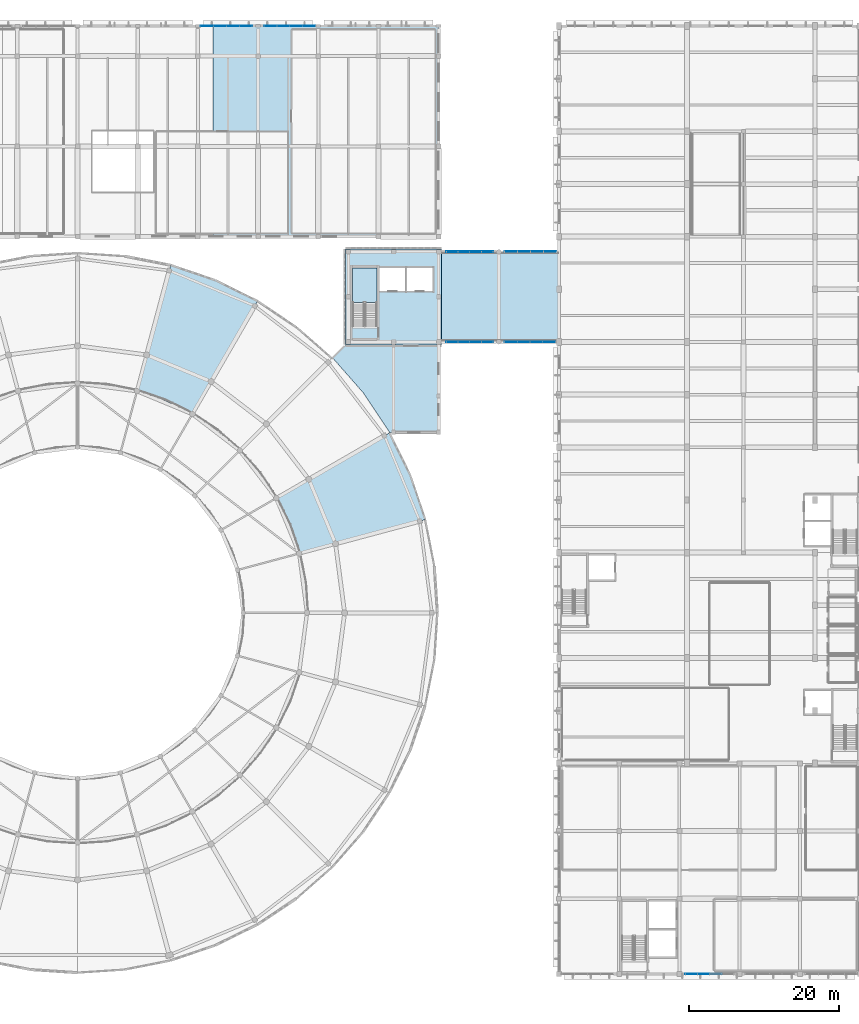
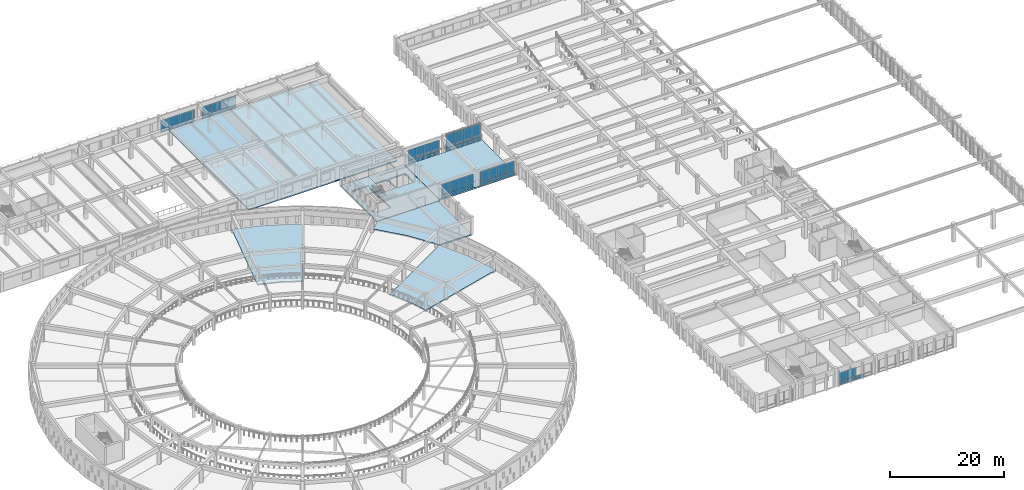
# One storey, part 49 of 98: 53 plates, 7 slabs, 8 elements without a shape of their own.
"""IFC4 building model written with IfcOpenShell, lengths in metres."""

from ifc_helpers import new_model, si_unit, direction, frame, origin, origin_2d, place, context, subcontext, project, spatial, polyline, rectangle, outline, extrude, material, layer, layer_set, type_object, element, aggregate, save


model = new_model("IFC4")

# Units and contexts
model_context = context("Model", 3, precision=1e-05, world=origin(), true_north=direction((0.0, 1.0)))
body_context = subcontext(model_context, "Body", "Model", "MODEL_VIEW")
ifc_project = project(units=[si_unit("LENGTHUNIT", "METRE"), si_unit("AREAUNIT", "SQUARE_METRE"), si_unit("VOLUMEUNIT", "CUBIC_METRE"), si_unit("PLANEANGLEUNIT", "RADIAN"), si_unit("MASSUNIT", "GRAM", prefix="KILO")], contexts=[model_context])

# Site, building, storey
site_placement = place(None, origin())
site = spatial("IfcSite", under=ifc_project, at=site_placement, CompositionType="ELEMENT")
building_placement = place(site_placement, origin())
building = spatial("IfcBuilding", under=site, at=building_placement, Name="Larkveld Mobility Hub", CompositionType="ELEMENT")
storey_placement = place(building_placement, frame((0.0, 0.0, 4.5)))
storey = spatial("IfcBuildingStorey", under=building, at=storey_placement, Name="L01", CompositionType="ELEMENT", Elevation=4.5)

# Curtain wall, plates
ifc_material_1 = material(Name="Anodised aluminium 6063-T6", Category="aluminium")
curtain_wall_type_1 = type_object("IfcCurtainWallType", Name="CW-SYS-01", PredefinedType="NOTDEFINED", material=ifc_material_1)
curtain_wall_1_placement = place(storey_placement, origin())
curtain_wall_1 = element("IfcCurtainWall", 1, at=curtain_wall_1_placement, inside=storey, type_object=curtain_wall_type_1, Name="Concourse Footbridge L01 South Glazing CW-001", PredefinedType="NOTDEFINED")
ifc_material_2 = material(Name="Low-E laminated solar-control double glazing", Category="glass")
ifc_layer_1 = layer(ifc_material_2, 0.028076171875, Name="Low-E laminated solar-control double glazing", Category="glass")
ifc_layer_set_1 = layer_set([ifc_layer_1], Name="Low-E laminated solar-control double glazing")
plate_type_1 = type_object("IfcPlateType", Name="CW-PNL-GL01", PredefinedType="CURTAIN_PANEL", material=ifc_layer_set_1)
plate_1_placement = place(storey_placement, frame((97.7919921875, 84.0, 0.75048828125), z_axis=(0.0, 0.0, 1.0), x_axis=(1.0, 0.0, 0.0)))
plate_1 = element("IfcPlate", 2, at=plate_1_placement, type_object=plate_type_1, Name="CW01 panel 1", PredefinedType="CURTAIN_PANEL", context=body_context, shape_type="SweptSolid", body=[
    extrude(rectangle(XDim=1.534912109375, YDim=0.028076171875, at=origin_2d()), origin(), (0.0, 0.0, 1.0), 2.31298828125),
])
plate_2_placement = place(storey_placement, frame((99.346923828125, 84.0, 0.75048828125), z_axis=(0.0, 0.0, 1.0), x_axis=(1.0, 0.0, 0.0)))
plate_2 = element("IfcPlate", 3, at=plate_2_placement, type_object=plate_type_1, Name="CW01 panel 2", PredefinedType="CURTAIN_PANEL", context=body_context, shape_type="SweptSolid", body=[
    extrude(rectangle(XDim=1.554931640625, YDim=0.028076171875, at=origin_2d()), origin(), (0.0, 0.0, 1.0), 2.31298828125),
])
plate_3_placement = place(storey_placement, frame((100.912109375, 84.0, 0.75048828125), z_axis=(0.0, 0.0, 1.0), x_axis=(1.0, 0.0, 0.0)))
plate_3 = element("IfcPlate", 4, at=plate_3_placement, type_object=plate_type_1, Name="CW01 panel 3", PredefinedType="CURTAIN_PANEL", context=body_context, shape_type="SweptSolid", body=[
    extrude(rectangle(XDim=1.554931640625, YDim=0.028076171875, at=origin_2d()), origin(), (0.0, 0.0, 1.0), 2.31298828125),
])
plate_4_placement = place(storey_placement, frame((102.468017578125, 84.0, 0.75048828125), z_axis=(0.0, 0.0, 1.0), x_axis=(1.0, 0.0, 0.0)))
plate_4 = element("IfcPlate", 5, at=plate_4_placement, type_object=plate_type_1, Name="CW01 panel 4", PredefinedType="CURTAIN_PANEL", context=body_context, shape_type="SweptSolid", body=[
    extrude(rectangle(XDim=1.534912109375, YDim=0.028076171875, at=origin_2d()), origin(), (0.0, 0.0, 1.0), 2.31298828125),
])

curtain_wall_type_2 = type_object("IfcCurtainWallType", Name="CW-SYS-04", PredefinedType="NOTDEFINED", material=ifc_material_1)
curtain_wall_2_placement = place(storey_placement, origin())
curtain_wall_2 = element("IfcCurtainWall", 6, at=curtain_wall_2_placement, inside=storey, type_object=curtain_wall_type_2, Name="Concourse Footbridge L01 North Glazing CW-004", PredefinedType="NOTDEFINED")
plate_5_placement = place(storey_placement, frame((102.468017578125, 96.0, 0.75048828125), z_axis=(0.0, 0.0, 1.0), x_axis=(-1.0, 0.0, 0.0)))
plate_5 = element("IfcPlate", 7, at=plate_5_placement, type_object=plate_type_1, Name="CW04 panel 1", PredefinedType="CURTAIN_PANEL", context=body_context, shape_type="SweptSolid", body=[
    extrude(rectangle(XDim=1.534912109375, YDim=0.028076171875, at=origin_2d()), origin(), (0.0, 0.0, 1.0), 2.31298828125),
])
plate_6_placement = place(storey_placement, frame((100.912109375, 96.0, 0.75048828125), z_axis=(0.0, 0.0, 1.0), x_axis=(-1.0, 0.0, 0.0)))
plate_6 = element("IfcPlate", 8, at=plate_6_placement, type_object=plate_type_1, Name="CW04 panel 2", PredefinedType="CURTAIN_PANEL", context=body_context, shape_type="SweptSolid", body=[
    extrude(rectangle(XDim=1.554931640625, YDim=0.028076171875, at=origin_2d()), origin(), (0.0, 0.0, 1.0), 2.31298828125),
])
plate_7_placement = place(storey_placement, frame((99.346923828125, 96.0, 0.75048828125), z_axis=(0.0, 0.0, 1.0), x_axis=(-1.0, 0.0, 0.0)))
plate_7 = element("IfcPlate", 9, at=plate_7_placement, type_object=plate_type_1, Name="CW04 panel 3", PredefinedType="CURTAIN_PANEL", context=body_context, shape_type="SweptSolid", body=[
    extrude(rectangle(XDim=1.554931640625, YDim=0.028076171875, at=origin_2d()), origin(), (0.0, 0.0, 1.0), 2.31298828125),
])
plate_8_placement = place(storey_placement, frame((97.7919921875, 96.0, 0.75048828125), z_axis=(0.0, 0.0, 1.0), x_axis=(-1.0, 0.0, 0.0)))
plate_8 = element("IfcPlate", 10, at=plate_8_placement, type_object=plate_type_1, Name="CW04 panel 4", PredefinedType="CURTAIN_PANEL", context=body_context, shape_type="SweptSolid", body=[
    extrude(rectangle(XDim=1.534912109375, YDim=0.028076171875, at=origin_2d()), origin(), (0.0, 0.0, 1.0), 2.31298828125),
])

curtain_wall_type_3 = type_object("IfcCurtainWallType", Name="CW-SYS-07", PredefinedType="NOTDEFINED", material=ifc_material_1)
curtain_wall_3_placement = place(storey_placement, origin())
curtain_wall_3 = element("IfcCurtainWall", 11, at=curtain_wall_3_placement, inside=storey, type_object=curtain_wall_type_3, Name="Bicycle Hall North Curtain Wall L01 CW-079", PredefinedType="NOTDEFINED")
plate_9_placement = place(storey_placement, frame((78.779052734375, 126.0, 0.669921875), z_axis=(0.0, 0.0, 1.0), x_axis=(-1.0, 0.0, 0.0)))
plate_9 = element("IfcPlate", 12, at=plate_9_placement, type_object=plate_type_1, Name="CW07 panel 1", PredefinedType="CURTAIN_PANEL", context=body_context, shape_type="SweptSolid", body=[
    extrude(rectangle(XDim=1.69091796875, YDim=0.028076171875, at=origin_2d()), origin(), (0.0, 0.0, 1.0), 1.97802734375),
])
plate_10_placement = place(storey_placement, frame((77.069091796875, 126.0, 0.669921875), z_axis=(0.0, 0.0, 1.0), x_axis=(-1.0, 0.0, 0.0)))
plate_10 = element("IfcPlate", 13, at=plate_10_placement, type_object=plate_type_1, Name="CW07 panel 2", PredefinedType="CURTAIN_PANEL", context=body_context, shape_type="SweptSolid", body=[
    extrude(rectangle(XDim=1.7109375, YDim=0.028076171875, at=origin_2d()), origin(), (0.0, 0.0, 1.0), 1.97802734375),
])
plate_11_placement = place(storey_placement, frame((75.346923828125, 126.0, 0.669921875), z_axis=(0.0, 0.0, 1.0), x_axis=(-1.0, 0.0, 0.0)))
plate_11 = element("IfcPlate", 14, at=plate_11_placement, type_object=plate_type_1, Name="CW07 panel 3", PredefinedType="CURTAIN_PANEL", context=body_context, shape_type="SweptSolid", body=[
    extrude(rectangle(XDim=1.7109375, YDim=0.028076171875, at=origin_2d()), origin(), (0.0, 0.0, 1.0), 1.97802734375),
])
plate_12_placement = place(storey_placement, frame((73.635986328125, 126.0, 0.669921875), z_axis=(0.0, 0.0, 1.0), x_axis=(-1.0, 0.0, 0.0)))
plate_12 = element("IfcPlate", 15, at=plate_12_placement, type_object=plate_type_1, Name="CW07 panel 4", PredefinedType="CURTAIN_PANEL", context=body_context, shape_type="SweptSolid", body=[
    extrude(rectangle(XDim=1.69091796875, YDim=0.028076171875, at=origin_2d()), origin(), (0.0, 0.0, 1.0), 1.97802734375),
])

curtain_wall_type_4 = type_object("IfcCurtainWallType", Name="CW-SYS-02", PredefinedType="NOTDEFINED", material=ifc_material_1)
curtain_wall_4_placement = place(storey_placement, origin())
curtain_wall_4 = element("IfcCurtainWall", 16, at=curtain_wall_4_placement, inside=storey, type_object=curtain_wall_type_4, Name="Concourse Footbridge L01 South Glazing CW-002", PredefinedType="NOTDEFINED")
ifc_material_3 = material(Name="Acoustic solar-control laminated double glazing", Category="glass")
ifc_layer_2 = layer(ifc_material_3, 0.031982421875, Name="Acoustic solar-control laminated double glazing", Category="glass")
ifc_layer_set_2 = layer_set([ifc_layer_2], Name="Acoustic solar-control laminated double glazing")
plate_type_2 = type_object("IfcPlateType", Name="CW-PNL-GL02", PredefinedType="CURTAIN_PANEL", material=ifc_layer_set_2)
plate_13_placement = place(storey_placement, frame((105.60009765625, 84.0, 0.75048828125), z_axis=(0.0, 0.0, 1.0), x_axis=(1.0, 0.0, 0.0)))
plate_13 = element("IfcPlate", 17, at=plate_13_placement, type_object=plate_type_2, Name="CW02 panel 1", PredefinedType="CURTAIN_PANEL", context=body_context, shape_type="SweptSolid", body=[
    extrude(rectangle(XDim=1.669921875, YDim=0.031982421875, at=origin_2d()), origin(), (0.0, 0.0, 1.0), 2.31298828125),
])
plate_14_placement = place(storey_placement, frame((107.2900390625, 84.0, 0.75048828125), z_axis=(0.0, 0.0, 1.0), x_axis=(1.0, 0.0, 0.0)))
plate_14 = element("IfcPlate", 18, at=plate_14_placement, type_object=plate_type_2, Name="CW02 panel 2", PredefinedType="CURTAIN_PANEL", context=body_context, shape_type="SweptSolid", body=[
    extrude(rectangle(XDim=1.68994140625, YDim=0.031982421875, at=origin_2d()), origin(), (0.0, 0.0, 1.0), 2.31298828125),
])
plate_15_placement = place(storey_placement, frame((108.989990234375, 84.0, 0.75048828125), z_axis=(0.0, 0.0, 1.0), x_axis=(1.0, 0.0, 0.0)))
plate_15 = element("IfcPlate", 19, at=plate_15_placement, type_object=plate_type_2, Name="CW02 panel 3", PredefinedType="CURTAIN_PANEL", context=body_context, shape_type="SweptSolid", body=[
    extrude(rectangle(XDim=1.68994140625, YDim=0.031982421875, at=origin_2d()), origin(), (0.0, 0.0, 1.0), 2.31298828125),
])
plate_16_placement = place(storey_placement, frame((110.679931640625, 84.0, 0.75048828125), z_axis=(0.0, 0.0, 1.0), x_axis=(1.0, 0.0, 0.0)))
plate_16 = element("IfcPlate", 20, at=plate_16_placement, type_object=plate_type_2, Name="CW02 panel 4", PredefinedType="CURTAIN_PANEL", context=body_context, shape_type="SweptSolid", body=[
    extrude(rectangle(XDim=1.669921875, YDim=0.031982421875, at=origin_2d()), origin(), (0.0, 0.0, 1.0), 2.31298828125),
])

curtain_wall_type_5 = type_object("IfcCurtainWallType", Name="CW-SYS-08", PredefinedType="NOTDEFINED", material=ifc_material_1)
curtain_wall_5_placement = place(storey_placement, origin())
curtain_wall_5 = element("IfcCurtainWall", 21, at=curtain_wall_5_placement, inside=storey, type_object=curtain_wall_type_5, Name="Bicycle Hall North Curtain Wall L01 CW-080", PredefinedType="NOTDEFINED")
plate_17_placement = place(storey_placement, frame((70.364013671875, 126.0, 0.669921875), z_axis=(0.0, 0.0, 1.0), x_axis=(-1.0, 0.0, 0.0)))
plate_17 = element("IfcPlate", 22, at=plate_17_placement, type_object=plate_type_2, Name="CW08 panel 1", PredefinedType="CURTAIN_PANEL", context=body_context, shape_type="SweptSolid", body=[
    extrude(rectangle(XDim=1.69091796875, YDim=0.031982421875, at=origin_2d()), origin(), (0.0, 0.0, 1.0), 1.97802734375),
])
plate_18_placement = place(storey_placement, frame((68.654052734375, 126.0, 0.669921875), z_axis=(0.0, 0.0, 1.0), x_axis=(-1.0, 0.0, 0.0)))
plate_18 = element("IfcPlate", 23, at=plate_18_placement, type_object=plate_type_2, Name="CW08 panel 2", PredefinedType="CURTAIN_PANEL", context=body_context, shape_type="SweptSolid", body=[
    extrude(rectangle(XDim=1.7109375, YDim=0.031982421875, at=origin_2d()), origin(), (0.0, 0.0, 1.0), 1.97802734375),
])
plate_19_placement = place(storey_placement, frame((66.931884765625, 126.0, 0.669921875), z_axis=(0.0, 0.0, 1.0), x_axis=(-1.0, 0.0, 0.0)))
plate_19 = element("IfcPlate", 24, at=plate_19_placement, type_object=plate_type_2, Name="CW08 panel 3", PredefinedType="CURTAIN_PANEL", context=body_context, shape_type="SweptSolid", body=[
    extrude(rectangle(XDim=1.7109375, YDim=0.031982421875, at=origin_2d()), origin(), (0.0, 0.0, 1.0), 1.97802734375),
])
plate_20_placement = place(storey_placement, frame((65.220947265625, 126.0, 0.669921875), z_axis=(0.0, 0.0, 1.0), x_axis=(-1.0, 0.0, 0.0)))
plate_20 = element("IfcPlate", 25, at=plate_20_placement, type_object=plate_type_2, Name="CW08 panel 4", PredefinedType="CURTAIN_PANEL", context=body_context, shape_type="SweptSolid", body=[
    extrude(rectangle(XDim=1.69091796875, YDim=0.031982421875, at=origin_2d()), origin(), (0.0, 0.0, 1.0), 1.97802734375),
])

curtain_wall_type_6 = type_object("IfcCurtainWallType", Name="CW-SYS-11", PredefinedType="NOTDEFINED", material=ifc_material_1)
curtain_wall_6_placement = place(storey_placement, origin())
curtain_wall_6 = element("IfcCurtainWall", 26, at=curtain_wall_6_placement, inside=storey, type_object=curtain_wall_type_6, Name="Service Centre South Curtain Wall L01 CW-095", PredefinedType="NOTDEFINED")
plate_21_placement = place(storey_placement, frame((129.583984375, 0.0, 0.669921875), z_axis=(0.0, 0.0, 1.0), x_axis=(1.0, 0.0, 0.0)))
plate_21 = element("IfcPlate", 27, at=plate_21_placement, type_object=plate_type_2, Name="CW11 panel 1", PredefinedType="CURTAIN_PANEL", context=body_context, shape_type="SweptSolid", body=[
    extrude(rectangle(XDim=1.587890625, YDim=0.031982421875, at=origin_2d()), origin(), (0.0, 0.0, 1.0), 1.97802734375),
])
plate_22_placement = place(storey_placement, frame((131.19091796875, 0.0, 0.669921875), z_axis=(0.0, 0.0, 1.0), x_axis=(1.0, 0.0, 0.0)))
plate_22 = element("IfcPlate", 28, at=plate_22_placement, type_object=plate_type_2, Name="CW11 panel 2", PredefinedType="CURTAIN_PANEL", context=body_context, shape_type="SweptSolid", body=[
    extrude(rectangle(XDim=1.60791015625, YDim=0.031982421875, at=origin_2d()), origin(), (0.0, 0.0, 1.0), 1.97802734375),
])

curtain_wall_type_7 = type_object("IfcCurtainWallType", Name="CW-SYS-03", PredefinedType="NOTDEFINED", material=ifc_material_1)
curtain_wall_7_placement = place(storey_placement, origin())
curtain_wall_7 = element("IfcCurtainWall", 29, at=curtain_wall_7_placement, inside=storey, type_object=curtain_wall_type_7, Name="Concourse Footbridge L01 North Glazing CW-003", PredefinedType="NOTDEFINED")
ifc_material_4 = material(Name="Tinted safety double glazing", Category="glass")
ifc_layer_3 = layer(ifc_material_4, 0.035888671875, Name="Tinted safety double glazing", Category="glass")
ifc_layer_set_3 = layer_set([ifc_layer_3], Name="Tinted safety double glazing")
plate_type_3 = type_object("IfcPlateType", Name="CW-PNL-GL03", PredefinedType="CURTAIN_PANEL", material=ifc_layer_set_3)
plate_23_placement = place(storey_placement, frame((110.77587890625, 96.0, 0.75), z_axis=(0.0, 0.0, 1.0), x_axis=(-1.0, 0.0, 0.0)))
plate_23 = element("IfcPlate", 30, at=plate_23_placement, type_object=plate_type_3, Name="CW03 panel 1", PredefinedType="CURTAIN_PANEL", context=body_context, shape_type="SweptSolid", body=[
    extrude(rectangle(XDim=1.697998046875, YDim=0.035888671875, at=origin_2d()), origin(), (0.0, 0.0, 1.0), 2.89794921875),
])
plate_24_placement = place(storey_placement, frame((109.05810546875, 96.0, 0.75), z_axis=(0.0, 0.0, 1.0), x_axis=(-1.0, 0.0, 0.0)))
plate_24 = element("IfcPlate", 31, at=plate_24_placement, type_object=plate_type_3, Name="CW03 panel 2", PredefinedType="CURTAIN_PANEL", context=body_context, shape_type="SweptSolid", body=[
    extrude(rectangle(XDim=1.718017578125, YDim=0.035888671875, at=origin_2d()), origin(), (0.0, 0.0, 1.0), 2.89794921875),
])
plate_25_placement = place(storey_placement, frame((107.33203125, 96.0, 0.75), z_axis=(0.0, 0.0, 1.0), x_axis=(-1.0, 0.0, 0.0)))
plate_25 = element("IfcPlate", 32, at=plate_25_placement, type_object=plate_type_3, Name="CW03 panel 3", PredefinedType="CURTAIN_PANEL", context=body_context, shape_type="SweptSolid", body=[
    extrude(rectangle(XDim=1.718017578125, YDim=0.035888671875, at=origin_2d()), origin(), (0.0, 0.0, 1.0), 2.89794921875),
])
plate_26_placement = place(storey_placement, frame((105.614013671875, 96.0, 0.75), z_axis=(0.0, 0.0, 1.0), x_axis=(-1.0, 0.0, 0.0)))
plate_26 = element("IfcPlate", 33, at=plate_26_placement, type_object=plate_type_3, Name="CW03 panel 4", PredefinedType="CURTAIN_PANEL", context=body_context, shape_type="SweptSolid", body=[
    extrude(rectangle(XDim=1.697998046875, YDim=0.035888671875, at=origin_2d()), origin(), (0.0, 0.0, 1.0), 2.89794921875),
])

# Plate
ifc_material_5 = material(Name="Insulated fluoropolymer aluminium spandrel", Category="aluminium")
ifc_layer_4 = layer(ifc_material_5, 0.06494140625, Name="Insulated fluoropolymer aluminium spandrel", Category="aluminium")
ifc_layer_set_4 = layer_set([ifc_layer_4], Name="Insulated fluoropolymer aluminium spandrel")
plate_type_4 = type_object("IfcPlateType", Name="CW-PNL-SP01", PredefinedType="CURTAIN_PANEL", material=ifc_layer_set_4)
plate_27_placement = place(storey_placement, frame((97.7919921875, 84.0, 0.0), z_axis=(0.0, 0.0, 1.0), x_axis=(1.0, 0.0, 0.0)))
plate_27 = element("IfcPlate", 34, at=plate_27_placement, type_object=plate_type_4, Name="CW01 spandrel 1", PredefinedType="CURTAIN_PANEL", context=body_context, shape_type="SweptSolid", body=[
    extrude(rectangle(XDim=1.534912109375, YDim=0.06494140625, at=origin_2d()), origin(), (0.0, 0.0, 1.0), 0.738037109375),
])

plate_28_placement = place(storey_placement, frame((99.346923828125, 84.0, 0.0), z_axis=(0.0, 0.0, 1.0), x_axis=(1.0, 0.0, 0.0)))
plate_28 = element("IfcPlate", 35, at=plate_28_placement, type_object=plate_type_4, Name="CW01 spandrel 2", PredefinedType="CURTAIN_PANEL", context=body_context, shape_type="SweptSolid", body=[
    extrude(rectangle(XDim=1.554931640625, YDim=0.06494140625, at=origin_2d()), origin(), (0.0, 0.0, 1.0), 0.738037109375),
])

plate_29_placement = place(storey_placement, frame((100.912109375, 84.0, 0.0), z_axis=(0.0, 0.0, 1.0), x_axis=(1.0, 0.0, 0.0)))
plate_29 = element("IfcPlate", 36, at=plate_29_placement, type_object=plate_type_4, Name="CW01 spandrel 3", PredefinedType="CURTAIN_PANEL", context=body_context, shape_type="SweptSolid", body=[
    extrude(rectangle(XDim=1.554931640625, YDim=0.06494140625, at=origin_2d()), origin(), (0.0, 0.0, 1.0), 0.738037109375),
])

plate_30_placement = place(storey_placement, frame((102.468017578125, 84.0, 0.0), z_axis=(0.0, 0.0, 1.0), x_axis=(1.0, 0.0, 0.0)))
plate_30 = element("IfcPlate", 37, at=plate_30_placement, type_object=plate_type_4, Name="CW01 spandrel 4", PredefinedType="CURTAIN_PANEL", context=body_context, shape_type="SweptSolid", body=[
    extrude(rectangle(XDim=1.534912109375, YDim=0.06494140625, at=origin_2d()), origin(), (0.0, 0.0, 1.0), 0.738037109375),
])

aggregate(curtain_wall_1, [plate_27, plate_1, plate_28, plate_2, plate_29, plate_3, plate_30, plate_4])

plate_31_placement = place(storey_placement, frame((110.77587890625, 96.0, 0.0), z_axis=(0.0, 0.0, 1.0), x_axis=(-1.0, 0.0, 0.0)))
plate_31 = element("IfcPlate", 38, at=plate_31_placement, type_object=plate_type_4, Name="CW03 spandrel 1", PredefinedType="CURTAIN_PANEL", context=body_context, shape_type="SweptSolid", body=[
    extrude(rectangle(XDim=1.697998046875, YDim=0.06494140625, at=origin_2d()), origin(), (0.0, 0.0, 1.0), 0.738037109375),
])

plate_32_placement = place(storey_placement, frame((109.05810546875, 96.0, 0.0), z_axis=(0.0, 0.0, 1.0), x_axis=(-1.0, 0.0, 0.0)))
plate_32 = element("IfcPlate", 39, at=plate_32_placement, type_object=plate_type_4, Name="CW03 spandrel 2", PredefinedType="CURTAIN_PANEL", context=body_context, shape_type="SweptSolid", body=[
    extrude(rectangle(XDim=1.718017578125, YDim=0.06494140625, at=origin_2d()), origin(), (0.0, 0.0, 1.0), 0.738037109375),
])

plate_33_placement = place(storey_placement, frame((107.33203125, 96.0, 0.0), z_axis=(0.0, 0.0, 1.0), x_axis=(-1.0, 0.0, 0.0)))
plate_33 = element("IfcPlate", 40, at=plate_33_placement, type_object=plate_type_4, Name="CW03 spandrel 3", PredefinedType="CURTAIN_PANEL", context=body_context, shape_type="SweptSolid", body=[
    extrude(rectangle(XDim=1.718017578125, YDim=0.06494140625, at=origin_2d()), origin(), (0.0, 0.0, 1.0), 0.738037109375),
])

plate_34_placement = place(storey_placement, frame((105.614013671875, 96.0, 0.0), z_axis=(0.0, 0.0, 1.0), x_axis=(-1.0, 0.0, 0.0)))
plate_34 = element("IfcPlate", 41, at=plate_34_placement, type_object=plate_type_4, Name="CW03 spandrel 4", PredefinedType="CURTAIN_PANEL", context=body_context, shape_type="SweptSolid", body=[
    extrude(rectangle(XDim=1.697998046875, YDim=0.06494140625, at=origin_2d()), origin(), (0.0, 0.0, 1.0), 0.738037109375),
])

aggregate(curtain_wall_7, [plate_31, plate_23, plate_32, plate_24, plate_33, plate_25, plate_34, plate_26])

plate_35_placement = place(storey_placement, frame((78.779052734375, 126.0, 0.00048828125), z_axis=(0.0, 0.0, 1.0), x_axis=(-1.0, 0.0, 0.0)))
plate_35 = element("IfcPlate", 42, at=plate_35_placement, type_object=plate_type_4, Name="CW07 spandrel 1", PredefinedType="CURTAIN_PANEL", context=body_context, shape_type="SweptSolid", body=[
    extrude(rectangle(XDim=1.69091796875, YDim=0.06494140625, at=origin_2d()), origin(), (0.0, 0.0, 1.0), 0.656982421875),
])

plate_36_placement = place(storey_placement, frame((77.069091796875, 126.0, 0.00048828125), z_axis=(0.0, 0.0, 1.0), x_axis=(-1.0, 0.0, 0.0)))
plate_36 = element("IfcPlate", 43, at=plate_36_placement, type_object=plate_type_4, Name="CW07 spandrel 2", PredefinedType="CURTAIN_PANEL", context=body_context, shape_type="SweptSolid", body=[
    extrude(rectangle(XDim=1.7109375, YDim=0.06494140625, at=origin_2d()), origin(), (0.0, 0.0, 1.0), 0.656982421875),
])

plate_37_placement = place(storey_placement, frame((75.346923828125, 126.0, 0.00048828125), z_axis=(0.0, 0.0, 1.0), x_axis=(-1.0, 0.0, 0.0)))
plate_37 = element("IfcPlate", 44, at=plate_37_placement, type_object=plate_type_4, Name="CW07 spandrel 3", PredefinedType="CURTAIN_PANEL", context=body_context, shape_type="SweptSolid", body=[
    extrude(rectangle(XDim=1.7109375, YDim=0.06494140625, at=origin_2d()), origin(), (0.0, 0.0, 1.0), 0.656982421875),
])

plate_38_placement = place(storey_placement, frame((73.635986328125, 126.0, 0.00048828125), z_axis=(0.0, 0.0, 1.0), x_axis=(-1.0, 0.0, 0.0)))
plate_38 = element("IfcPlate", 45, at=plate_38_placement, type_object=plate_type_4, Name="CW07 spandrel 4", PredefinedType="CURTAIN_PANEL", context=body_context, shape_type="SweptSolid", body=[
    extrude(rectangle(XDim=1.69091796875, YDim=0.06494140625, at=origin_2d()), origin(), (0.0, 0.0, 1.0), 0.656982421875),
])

aggregate(curtain_wall_3, [plate_35, plate_9, plate_36, plate_10, plate_37, plate_11, plate_38, plate_12])

plate_39_placement = place(storey_placement, frame((129.583984375, 0.0, 0.00048828125), z_axis=(0.0, 0.0, 1.0), x_axis=(1.0, 0.0, 0.0)))
plate_39 = element("IfcPlate", 46, at=plate_39_placement, type_object=plate_type_4, Name="CW11 spandrel 1", PredefinedType="CURTAIN_PANEL", context=body_context, shape_type="SweptSolid", body=[
    extrude(rectangle(XDim=1.587890625, YDim=0.06494140625, at=origin_2d()), origin(), (0.0, 0.0, 1.0), 0.656982421875),
])

plate_40_placement = place(storey_placement, frame((131.19091796875, 0.0, 0.00048828125), z_axis=(0.0, 0.0, 1.0), x_axis=(1.0, 0.0, 0.0)))
plate_40 = element("IfcPlate", 47, at=plate_40_placement, type_object=plate_type_4, Name="CW11 spandrel 2", PredefinedType="CURTAIN_PANEL", context=body_context, shape_type="SweptSolid", body=[
    extrude(rectangle(XDim=1.60791015625, YDim=0.06494140625, at=origin_2d()), origin(), (0.0, 0.0, 1.0), 0.656982421875),
])

plate_41_placement = place(storey_placement, frame((132.80810546875, 0.0, 0.00048828125), z_axis=(0.0, 0.0, 1.0), x_axis=(1.0, 0.0, 0.0)))
plate_41 = element("IfcPlate", 48, at=plate_41_placement, type_object=plate_type_4, Name="CW11 spandrel 3", PredefinedType="CURTAIN_PANEL", context=body_context, shape_type="SweptSolid", body=[
    extrude(rectangle(XDim=1.60791015625, YDim=0.06494140625, at=origin_2d()), origin(), (0.0, 0.0, 1.0), 0.656982421875),
])

aggregate(curtain_wall_6, [plate_39, plate_21, plate_40, plate_22, plate_41])

ifc_material_6 = material(Name="Insulated terracotta-toned aluminium spandrel", Category="masonry")
ifc_layer_5 = layer(ifc_material_6, 0.080078125, Name="Insulated terracotta-toned aluminium spandrel", Category="masonry")
ifc_layer_set_5 = layer_set([ifc_layer_5], Name="Insulated terracotta-toned aluminium spandrel")
plate_type_5 = type_object("IfcPlateType", Name="CW-PNL-SP02", PredefinedType="CURTAIN_PANEL", material=ifc_layer_set_5)
plate_42_placement = place(storey_placement, frame((105.60009765625, 84.0, 0.0), z_axis=(0.0, 0.0, 1.0), x_axis=(1.0, 0.0, 0.0)))
plate_42 = element("IfcPlate", 49, at=plate_42_placement, type_object=plate_type_5, Name="CW02 spandrel 1", PredefinedType="CURTAIN_PANEL", context=body_context, shape_type="SweptSolid", body=[
    extrude(rectangle(XDim=1.669921875, YDim=0.080078125, at=origin_2d()), origin(), (0.0, 0.0, 1.0), 0.738037109375),
])

plate_43_placement = place(storey_placement, frame((107.2900390625, 84.0, 0.0), z_axis=(0.0, 0.0, 1.0), x_axis=(1.0, 0.0, 0.0)))
plate_43 = element("IfcPlate", 50, at=plate_43_placement, type_object=plate_type_5, Name="CW02 spandrel 2", PredefinedType="CURTAIN_PANEL", context=body_context, shape_type="SweptSolid", body=[
    extrude(rectangle(XDim=1.68994140625, YDim=0.080078125, at=origin_2d()), origin(), (0.0, 0.0, 1.0), 0.738037109375),
])

plate_44_placement = place(storey_placement, frame((108.989990234375, 84.0, 0.0), z_axis=(0.0, 0.0, 1.0), x_axis=(1.0, 0.0, 0.0)))
plate_44 = element("IfcPlate", 51, at=plate_44_placement, type_object=plate_type_5, Name="CW02 spandrel 3", PredefinedType="CURTAIN_PANEL", context=body_context, shape_type="SweptSolid", body=[
    extrude(rectangle(XDim=1.68994140625, YDim=0.080078125, at=origin_2d()), origin(), (0.0, 0.0, 1.0), 0.738037109375),
])

plate_45_placement = place(storey_placement, frame((110.679931640625, 84.0, 0.0), z_axis=(0.0, 0.0, 1.0), x_axis=(1.0, 0.0, 0.0)))
plate_45 = element("IfcPlate", 52, at=plate_45_placement, type_object=plate_type_5, Name="CW02 spandrel 4", PredefinedType="CURTAIN_PANEL", context=body_context, shape_type="SweptSolid", body=[
    extrude(rectangle(XDim=1.669921875, YDim=0.080078125, at=origin_2d()), origin(), (0.0, 0.0, 1.0), 0.738037109375),
])

aggregate(curtain_wall_4, [plate_42, plate_13, plate_43, plate_14, plate_44, plate_15, plate_45, plate_16])

plate_46_placement = place(storey_placement, frame((102.468017578125, 96.0, 0.0), z_axis=(0.0, 0.0, 1.0), x_axis=(-1.0, 0.0, 0.0)))
plate_46 = element("IfcPlate", 53, at=plate_46_placement, type_object=plate_type_5, Name="CW04 spandrel 1", PredefinedType="CURTAIN_PANEL", context=body_context, shape_type="SweptSolid", body=[
    extrude(rectangle(XDim=1.534912109375, YDim=0.080078125, at=origin_2d()), origin(), (0.0, 0.0, 1.0), 0.738037109375),
])

plate_47_placement = place(storey_placement, frame((100.912109375, 96.0, 0.0), z_axis=(0.0, 0.0, 1.0), x_axis=(-1.0, 0.0, 0.0)))
plate_47 = element("IfcPlate", 54, at=plate_47_placement, type_object=plate_type_5, Name="CW04 spandrel 2", PredefinedType="CURTAIN_PANEL", context=body_context, shape_type="SweptSolid", body=[
    extrude(rectangle(XDim=1.554931640625, YDim=0.080078125, at=origin_2d()), origin(), (0.0, 0.0, 1.0), 0.738037109375),
])

plate_48_placement = place(storey_placement, frame((99.346923828125, 96.0, 0.0), z_axis=(0.0, 0.0, 1.0), x_axis=(-1.0, 0.0, 0.0)))
plate_48 = element("IfcPlate", 55, at=plate_48_placement, type_object=plate_type_5, Name="CW04 spandrel 3", PredefinedType="CURTAIN_PANEL", context=body_context, shape_type="SweptSolid", body=[
    extrude(rectangle(XDim=1.554931640625, YDim=0.080078125, at=origin_2d()), origin(), (0.0, 0.0, 1.0), 0.738037109375),
])

plate_49_placement = place(storey_placement, frame((97.7919921875, 96.0, 0.0), z_axis=(0.0, 0.0, 1.0), x_axis=(-1.0, 0.0, 0.0)))
plate_49 = element("IfcPlate", 56, at=plate_49_placement, type_object=plate_type_5, Name="CW04 spandrel 4", PredefinedType="CURTAIN_PANEL", context=body_context, shape_type="SweptSolid", body=[
    extrude(rectangle(XDim=1.534912109375, YDim=0.080078125, at=origin_2d()), origin(), (0.0, 0.0, 1.0), 0.738037109375),
])

aggregate(curtain_wall_2, [plate_46, plate_5, plate_47, plate_6, plate_48, plate_7, plate_49, plate_8])

plate_50_placement = place(storey_placement, frame((70.364013671875, 126.0, 0.00048828125), z_axis=(0.0, 0.0, 1.0), x_axis=(-1.0, 0.0, 0.0)))
plate_50 = element("IfcPlate", 57, at=plate_50_placement, type_object=plate_type_5, Name="CW08 spandrel 1", PredefinedType="CURTAIN_PANEL", context=body_context, shape_type="SweptSolid", body=[
    extrude(rectangle(XDim=1.69091796875, YDim=0.080078125, at=origin_2d()), origin(), (0.0, 0.0, 1.0), 0.656982421875),
])

plate_51_placement = place(storey_placement, frame((68.654052734375, 126.0, 0.00048828125), z_axis=(0.0, 0.0, 1.0), x_axis=(-1.0, 0.0, 0.0)))
plate_51 = element("IfcPlate", 58, at=plate_51_placement, type_object=plate_type_5, Name="CW08 spandrel 2", PredefinedType="CURTAIN_PANEL", context=body_context, shape_type="SweptSolid", body=[
    extrude(rectangle(XDim=1.7109375, YDim=0.080078125, at=origin_2d()), origin(), (0.0, 0.0, 1.0), 0.656982421875),
])

plate_52_placement = place(storey_placement, frame((66.931884765625, 126.0, 0.00048828125), z_axis=(0.0, 0.0, 1.0), x_axis=(-1.0, 0.0, 0.0)))
plate_52 = element("IfcPlate", 59, at=plate_52_placement, type_object=plate_type_5, Name="CW08 spandrel 3", PredefinedType="CURTAIN_PANEL", context=body_context, shape_type="SweptSolid", body=[
    extrude(rectangle(XDim=1.7109375, YDim=0.080078125, at=origin_2d()), origin(), (0.0, 0.0, 1.0), 0.656982421875),
])

plate_53_placement = place(storey_placement, frame((65.220947265625, 126.0, 0.00048828125), z_axis=(0.0, 0.0, 1.0), x_axis=(-1.0, 0.0, 0.0)))
plate_53 = element("IfcPlate", 60, at=plate_53_placement, type_object=plate_type_5, Name="CW08 spandrel 4", PredefinedType="CURTAIN_PANEL", context=body_context, shape_type="SweptSolid", body=[
    extrude(rectangle(XDim=1.69091796875, YDim=0.080078125, at=origin_2d()), origin(), (0.0, 0.0, 1.0), 0.656982421875),
])

aggregate(curtain_wall_5, [plate_50, plate_17, plate_51, plate_18, plate_52, plate_19, plate_53, plate_20])

# Slabs
ifc_material_7 = material(Name="Concrete C40/50", Category="concrete")
ifc_layer_6 = layer(ifc_material_7, 0.300048828125, Name="Concrete C40/50", Category="concrete")
ifc_layer_set_6 = layer_set([ifc_layer_6], Name="Concrete C40/50")
slab_type_1 = type_object("IfcSlabType", Name="SL-BRG-300", PredefinedType="FLOOR", material=ifc_layer_set_6)
slab_1_placement = place(storey_placement, frame((0.0, 0.0, -0.300048828125)))
element("IfcSlab", 61, at=slab_1_placement, inside=storey, type_object=slab_type_1, Name="Concourse Footbridge L01 Deck L01-093", PredefinedType="FLOOR", context=body_context, shape_type="SweptSolid", body=[
    extrude(outline(polyline([(96.39990234375, 84.0), (112.0, 84.0), (112.0, 96.0), (96.39990234375, 96.0), (96.39990234375, 84.0)])), origin(), (0.0, 0.0, 1.0), 0.300048828125),
])
ifc_layer_7 = layer(ifc_material_7, 0.260009765625, Name="Concrete C40/50", Category="concrete")
ifc_layer_set_7 = layer_set([ifc_layer_7], Name="Concrete C40/50")
slab_type_2 = type_object("IfcSlabType", Name="SL-CON-260", PredefinedType="FLOOR", material=ifc_layer_set_7)
slab_2_placement = place(storey_placement, frame((0.0, 0.0, -0.260009765625)))
element("IfcSlab", 62, at=slab_2_placement, inside=storey, type_object=slab_type_2, Name="Pavilion Core Slab L01-087", PredefinedType="FLOOR", context=body_context, shape_type="SweptSolid", body=[
    extrude(outline(polyline([(83.6298828125, 83.6298828125), (96.3701171875, 83.6298828125), (96.3701171875, 96.3701171875), (83.6298828125, 96.3701171875), (83.6298828125, 83.6298828125)]), holes=[polyline([(84.550048828125, 86.10009765625), (84.550048828125, 93.85009765625), (87.800048828125, 93.85009765625), (87.800048828125, 86.10009765625), (84.550048828125, 86.10009765625)]), polyline([(88.159912109375, 90.800048828125), (88.159912109375, 93.85009765625), (91.56005859375, 93.85009765625), (91.56005859375, 90.800048828125), (88.159912109375, 90.800048828125)]), polyline([(91.780029296875, 90.800048828125), (91.780029296875, 93.85009765625), (95.179931640625, 93.85009765625), (95.179931640625, 90.800048828125), (91.780029296875, 90.800048828125)])]), origin(), (0.0, 0.0, 1.0), 0.260009765625),
])
slab_3_placement = place(storey_placement, frame((0.0, 0.0, -0.260009765625)))
element("IfcSlab", 63, at=slab_3_placement, inside=storey, type_object=slab_type_2, Name="Drum Pavilion Link Slab L01-088", PredefinedType="FLOOR", context=body_context, shape_type="SweptSolid", body=[
    extrude(outline(polyline([(89.51708984375, 71.969970703125), (95.97998046875, 71.969970703125), (95.97998046875, 83.610107421875), (83.6298828125, 83.610107421875), (81.89892578125, 81.89892578125), (86.032958984375, 77.18408203125), (89.51708984375, 71.969970703125)])), origin(), (0.0, 0.0, 1.0), 0.260009765625),
])
ifc_layer_8 = layer(ifc_material_7, 0.239990234375, Name="Concrete C40/50", Category="concrete")
ifc_layer_set_8 = layer_set([ifc_layer_8], Name="Concrete C40/50")
slab_type_3 = type_object("IfcSlabType", Name="SL-DRM-240", PredefinedType="FLOOR", material=ifc_layer_set_8)
slab_4_placement = place(storey_placement, frame((0.0, 0.0, -0.239990234375)))
element("IfcSlab", 64, at=slab_4_placement, inside=storey, type_object=slab_type_3, Name="Drum Parking Deck Slab L01-034", PredefinedType="FLOOR", context=body_context, shape_type="SweptSolid", body=[
    extrude(outline(polyline([(71.9599609375, 89.5), (66.337890625, 92.27197265625), (60.403076171875, 94.287109375), (55.89404296875, 77.4609375), (59.672119140625, 76.177978515625), (63.25, 74.4140625), (71.9599609375, 89.5)])), origin(), (0.0, 0.0, 1.0), 0.239990234375),
])
ifc_layer_9 = layer(ifc_material_7, 0.22998046875, Name="Concrete C40/50", Category="concrete")
ifc_layer_set_9 = layer_set([ifc_layer_9], Name="Concrete C40/50")
slab_type_4 = type_object("IfcSlabType", Name="SL-FLR-230", PredefinedType="FLOOR", material=ifc_layer_set_9)
slab_5_placement = place(storey_placement, frame((0.0, 0.0, -0.22998046875)))
element("IfcSlab", 65, at=slab_5_placement, inside=storey, type_object=slab_type_4, Name="Bicycle Hall Floor Slab L01-102", PredefinedType="FLOOR", context=body_context, shape_type="SweptSolid", body=[
    extrude(outline(polyline([(66.0, 98.0), (96.0, 98.0), (96.0, 126.0), (66.0, 126.0), (66.0, 98.0)])), origin(), (0.0, 0.0, 1.0), 0.22998046875),
])
ifc_layer_10 = layer(ifc_material_7, 0.25, Name="Concrete C40/50", Category="concrete")
ifc_layer_set_10 = layer_set([ifc_layer_10], Name="Concrete C40/50")
slab_type_5 = type_object("IfcSlabType", Name="SL-FLR-250", PredefinedType="FLOOR", material=ifc_layer_set_10)
slab_6_placement = place(storey_placement, frame((0.0, 0.0, -0.25)))
element("IfcSlab", 66, at=slab_6_placement, inside=storey, type_object=slab_type_5, Name="Drum Parking Deck Slab L01-031", PredefinedType="FLOOR", context=body_context, shape_type="SweptSolid", body=[
    extrude(outline(polyline([(94.287109375, 60.403076171875), (92.27197265625, 66.337890625), (89.5, 71.9599609375), (74.4140625, 63.25), (76.177978515625, 59.672119140625), (77.4609375, 55.89404296875), (94.287109375, 60.403076171875)])), origin(), (0.0, 0.0, 1.0), 0.25),
])

# Stair, slab
stair_type = type_object("IfcStairType", Name="ST-HT-05", PredefinedType="HALF_TURN_STAIR", material=ifc_material_7)
stair_placement = place(storey_placement, origin())
stair = element("IfcStair", 67, at=stair_placement, inside=storey, type_object=stair_type, Name="L01 Protected Escape Stair ST5", PredefinedType="HALF_TURN_STAIR")
ifc_layer_11 = layer(ifc_material_7, 0.215087890625, Name="Concrete C40/50", Category="concrete")
ifc_layer_set_11 = layer_set([ifc_layer_11], Name="Concrete C40/50")
slab_type_6 = type_object("IfcSlabType", Name="SL-LND-05", PredefinedType="LANDING", material=ifc_layer_set_11)
slab_7_placement = place(storey_placement, frame((0.0, 0.0, 1.735107421875)))
slab_7 = element("IfcSlab", 68, at=slab_7_placement, type_object=slab_type_6, Name="ST5 landing 1", PredefinedType="LANDING", context=body_context, shape_type="SweptSolid", body=[
    extrude(outline(polyline([(87.800048828125, 89.235107421875), (87.800048828125, 93.85009765625), (84.550048828125, 93.85009765625), (84.550048828125, 89.235107421875), (87.800048828125, 89.235107421875)])), origin(), (0.0, 0.0, 1.0), 0.21484375),
])
aggregate(stair, [slab_7])

save(model, "model.ifc")
